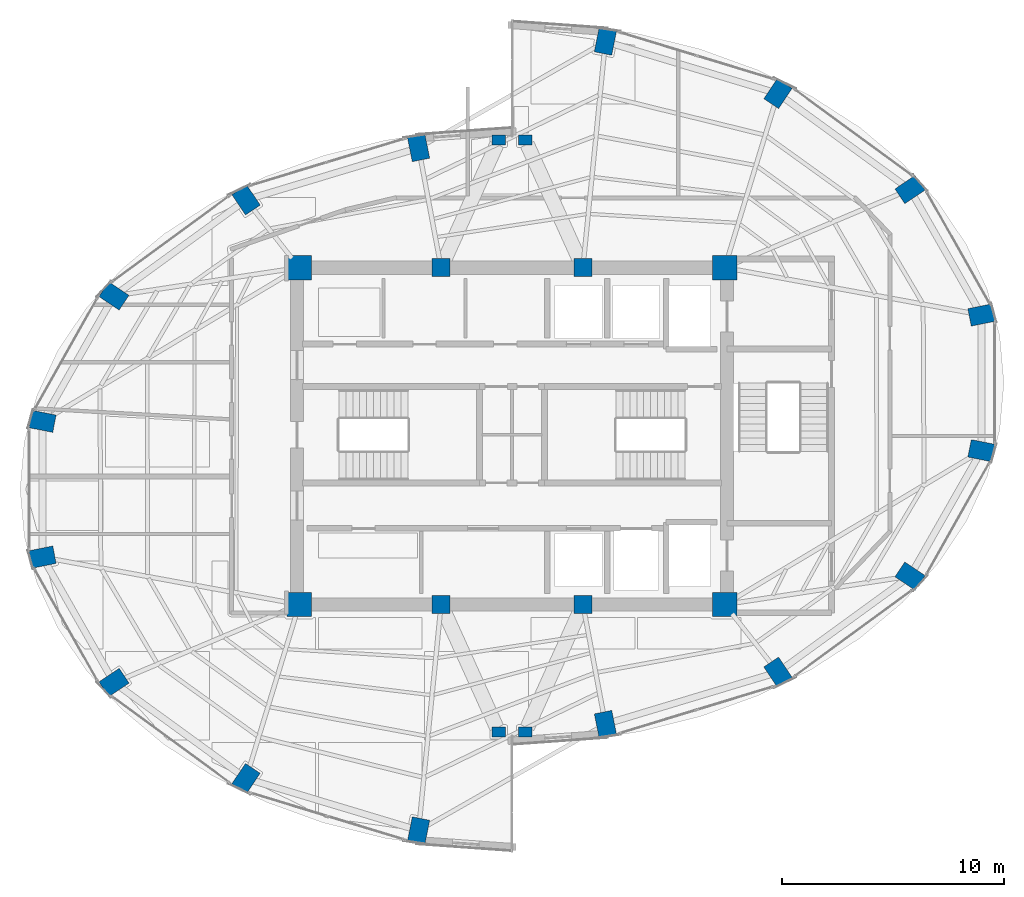
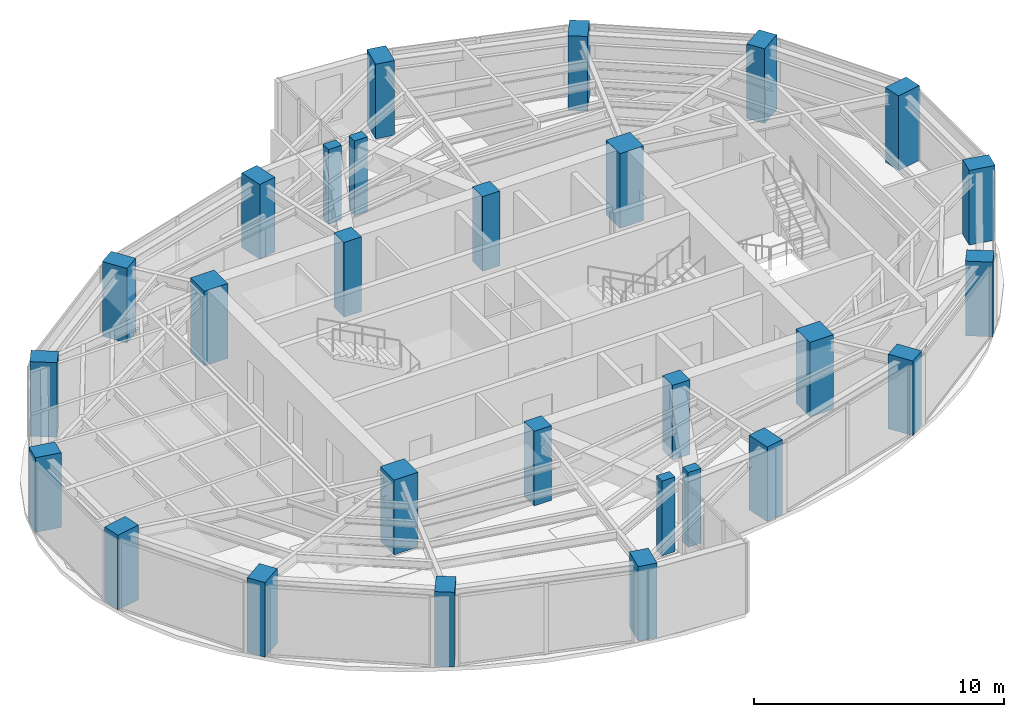
# One storey, part 1 of 23: 28 columns.
"""IFC4 building model written with IfcOpenShell, lengths in metres."""

import ifcopenshell
import ifcopenshell.guid

model = None  # the IFC model being written
_history = None  # IfcOwnerHistory: only IFC2X3 demands one
_inside = {}  # id of a spatial element -> (the spatial element, [elements in it])
_under = {}  # id of a project, library or spatial element -> (it, [spatial elements below it])
_declared = {}  # id of a project -> (the project, [libraries it declares])
_typed = {}  # id of a type object -> (the type object, [elements of that type])
_made_of = {}  # id of a material, layer set ... -> (it, [elements and type objects made of it])


def new_model(schema):
    """Start an empty IFC model of exactly this schema.

    Asked for "IFC4X3", IfcOpenShell would pick the latest addendum, in which some entities
    have other attributes; the version numbers below select the first issue.
    IFC2X3 requires an IfcOwnerHistory on every rooted entity: one is made here for all.
    """
    global model, _history
    if schema == "IFC4X3":
        model = ifcopenshell.file(schema_version=(4, 3, 0, 0))
    else:
        model = ifcopenshell.file(schema=schema)
    _inside.clear()
    _under.clear()
    _declared.clear()
    _typed.clear()
    _made_of.clear()
    _history = None
    if model.schema == "IFC2X3":
        org = make("IfcOrganization", Name="unknown")
        user = make(
            "IfcPersonAndOrganization",
            ThePerson=make("IfcPerson", FamilyName="unknown"),
            TheOrganization=org,
        )
        app = make(
            "IfcApplication",
            ApplicationDeveloper=org,
            Version="unknown",
            ApplicationFullName="unknown",
            ApplicationIdentifier="unknown",
        )
        _history = make(
            "IfcOwnerHistory",
            OwningUser=user,
            OwningApplication=app,
            ChangeAction="ADDED",
            CreationDate=0,
        )
    return model


def make(cls, **values):
    """One entity of the class cls with the attributes given. An attribute that is None is left unset."""
    return model.create_entity(
        cls, **{name: value for name, value in values.items() if value is not None}
    )


def rooted(cls, **values):
    """An entity with a GlobalId (a new one), such as an element, a storey or a relation."""
    return make(cls, GlobalId=ifcopenshell.guid.new(), OwnerHistory=_history, **values)


def si_unit(unit_type, name, prefix=None):
    """IfcSIUnit, for example si_unit("LENGTHUNIT", "METRE", prefix="MILLI")."""
    return make("IfcSIUnit", UnitType=unit_type, Prefix=prefix, Name=name)


def assignment(units):
    """IfcUnitAssignment: the units of a project."""
    return None if units is None else make("IfcUnitAssignment", Units=units)


def point(xyz):
    """IfcCartesianPoint."""
    return None if xyz is None else make("IfcCartesianPoint", Coordinates=xyz)


def direction(xyz):
    """IfcDirection."""
    return None if xyz is None else make("IfcDirection", DirectionRatios=xyz)


def frame(location, z_axis=None, x_axis=None):
    """IfcAxis2Placement3D, a coordinate frame: its origin and axes. An axis left out is left unset."""
    return make(
        "IfcAxis2Placement3D",
        Location=point(location),
        Axis=direction(z_axis),
        RefDirection=direction(x_axis),
    )


def frame_2d(location, x_axis=None):
    """IfcAxis2Placement2D, a coordinate frame in the plane: its origin and x axis."""
    return make(
        "IfcAxis2Placement2D", Location=point(location), RefDirection=direction(x_axis)
    )


def origin():
    """The frame at (0, 0, 0) with its axes left unset."""
    return frame((0.0, 0.0, 0.0))


def origin_2d():
    """The frame at (0, 0) in the plane with its x axis left unset."""
    return frame_2d((0.0, 0.0))


def place(relative_to, where):
    """IfcLocalPlacement: puts the frame where relative to a parent placement (None: the world)."""
    return make(
        "IfcLocalPlacement", PlacementRelTo=relative_to, RelativePlacement=where
    )


def context(
    kind, dimensions, precision=None, world=None, true_north=None, identifier=None
):
    """IfcGeometricRepresentationContext, for example the 3D "Model" context."""
    return make(
        "IfcGeometricRepresentationContext",
        ContextIdentifier=identifier,
        ContextType=kind,
        CoordinateSpaceDimension=dimensions,
        Precision=precision,
        WorldCoordinateSystem=world,
        TrueNorth=true_north,
    )


def subcontext(parent, identifier, kind, view, scale=None):
    """IfcGeometricRepresentationSubContext, for example "Body" below "Model"."""
    return make(
        "IfcGeometricRepresentationSubContext",
        ContextIdentifier=identifier,
        ContextType=kind,
        ParentContext=parent,
        TargetScale=scale,
        TargetView=view,
    )


def project(units=None, contexts=None):
    """IfcProject with its units and contexts."""
    return rooted(
        "IfcProject",
        Name="project",
        RepresentationContexts=contexts,
        UnitsInContext=assignment(units),
    )


def spatial(cls, under=None, at=None, **own):
    """A site, building, storey or space (cls), placed at a placement, below another one or the project."""
    s = rooted(cls, ObjectPlacement=at, **own)
    if under is not None:
        _under.setdefault(under.id(), (under, []))[1].append(s)
    return s


def profile(cls, at=None, kind="AREA", **sizes):
    """A parametric profile (cls). Its sizes go by their IFC names, for example OverallWidth=200.0."""
    return make(cls, ProfileType=kind, Position=at, **sizes)


def rectangle(**sizes):
    """IfcRectangleProfileDef."""
    return profile("IfcRectangleProfileDef", **sizes)


def extrude(swept, where, along, depth):
    """IfcExtrudedAreaSolid: the profile swept, set in the frame where, extruded along a direction by depth."""
    return make(
        "IfcExtrudedAreaSolid",
        SweptArea=swept,
        Position=where,
        ExtrudedDirection=direction(along),
        Depth=depth,
    )


def shape(context_of_items, identifier, shape_type, items):
    """IfcShapeRepresentation: the items that make up one representation, for example the "Body"."""
    return make(
        "IfcShapeRepresentation",
        ContextOfItems=context_of_items,
        RepresentationIdentifier=identifier,
        RepresentationType=shape_type,
        Items=items,
    )


def material(Name=None, Category=None):
    """IfcMaterial."""
    return make("IfcMaterial", Name=Name, Category=Category)


def material_profile(
    of_material, cross_section, Name=None, Category=None, Priority=None
):
    """IfcMaterialProfile: a cross section and its material."""
    return make(
        "IfcMaterialProfile",
        Name=Name,
        Material=of_material,
        Profile=cross_section,
        Priority=Priority,
        Category=Category,
    )


def profile_set(profiles, Name=None, composite=None):
    """IfcMaterialProfileSet."""
    return make(
        "IfcMaterialProfileSet",
        Name=Name,
        MaterialProfiles=profiles,
        CompositeProfile=composite,
    )


def made_of(thing, what):
    """Note that an element or type object is made of a material, layer set ...; save() writes the relation."""
    if what is not None:
        _made_of.setdefault(what.id(), (what, []))[1].append(thing)
    return thing


def type_object(cls, material=None, **own):
    """A type object (cls), such as IfcWallType, which elements share."""
    return made_of(rooted(cls, **own), material)


def element(
    cls,
    number,
    at=None,
    inside=None,
    cuts=None,
    type_object=None,
    material=None,
    context=None,
    identifier="Body",
    shape_type=None,
    held_by="IfcProductDefinitionShape",
    body=None,
    shapes=None,
    **own,
):
    """One element of the class cls, such as IfcWall. Its Tag is "e" and its number.

    at: its placement. inside: the storey or other place that contains it. cuts: it is an
    opening in that element (IfcRelVoidsElement). A single representation is given by context,
    identifier, shape_type and body (its items); several are given by shapes. held_by: the class
    of the entity that holds the representations. save() writes the other relations.
    """
    e = rooted(cls, Tag="e%d" % number, ObjectPlacement=at, **own)
    if body is not None:
        shapes = [shape(context, identifier, shape_type, body)]
    if shapes is not None:
        e.Representation = make(held_by, Representations=shapes)
    if inside is not None:
        _inside.setdefault(inside.id(), (inside, []))[1].append(e)
    if cuts is not None:
        rooted(
            "IfcRelVoidsElement", RelatingBuildingElement=cuts, RelatedOpeningElement=e
        )
    if type_object is not None:
        _typed.setdefault(type_object.id(), (type_object, []))[1].append(e)
    return made_of(e, material)


def aggregate(whole, parts):
    """IfcRelAggregates: a whole, such as a stair, and the parts it consists of."""
    return rooted("IfcRelAggregates", RelatingObject=whole, RelatedObjects=parts)


def save(model, path):
    """Write the relations noted so far, then the file.

    IfcRelAggregates (storeys below a building ...), IfcRelContainedInSpatialStructure (elements
    in a storey), IfcRelDefinesByType, IfcRelAssociatesMaterial and IfcRelDeclares: one each for
    every whole, place, type object, material and project.
    """
    for whole, parts in _under.values():
        aggregate(whole, parts)
    for where, things in _inside.values():
        rooted(
            "IfcRelContainedInSpatialStructure",
            RelatedElements=things,
            RelatingStructure=where,
        )
    for kind, things in _typed.values():
        rooted("IfcRelDefinesByType", RelatedObjects=things, RelatingType=kind)
    for what, things in _made_of.values():
        rooted("IfcRelAssociatesMaterial", RelatedObjects=things, RelatingMaterial=what)
    for by, libraries in _declared.values():
        rooted("IfcRelDeclares", RelatingContext=by, RelatedDefinitions=libraries)
    model.write(path)


model = new_model("IFC4")

# Units and contexts
model_context = context("Model", 3, precision=1e-05, world=origin(), true_north=direction((0.0, 1.0)))
body_context = subcontext(model_context, "Body", "Model", "MODEL_VIEW")
ifc_project = project(units=[si_unit("LENGTHUNIT", "METRE"), si_unit("AREAUNIT", "SQUARE_METRE"), si_unit("VOLUMEUNIT", "CUBIC_METRE"), si_unit("PLANEANGLEUNIT", "RADIAN"), si_unit("MASSUNIT", "GRAM", prefix="KILO")], contexts=[model_context])

# Site, building, storey
site_placement = place(None, origin())
site = spatial("IfcSite", under=ifc_project, at=site_placement, CompositionType="ELEMENT")
building_placement = place(site_placement, origin())
building = spatial("IfcBuilding", under=site, at=building_placement, Name="Lazwardi Medical Tower", CompositionType="ELEMENT")
storey_placement = place(building_placement, frame((0.0, 0.0, 209.424072265625)))
storey = spatial("IfcBuildingStorey", under=building, at=storey_placement, Name="L54", CompositionType="ELEMENT", Elevation=209.424072265625)

# Columns
ifc_material_1 = material(Name="Concrete C80/95", Category="concrete")
ifc_material_profile_1 = material_profile(ifc_material_1, rectangle(XDim=1.10009765625, YDim=1.10009765625, at=origin_2d()), Name="RC 1100x1100")
ifc_profile_set_1 = profile_set([ifc_material_profile_1], Name="Concrete C80/95")
column_type_1 = type_object("IfcColumnType", Name="COL-CC-L", PredefinedType="COLUMN", material=ifc_profile_set_1)
for number, where, z_axis, x_axis, name in (
    (1, (26.39990234375, 20.39990234375, 0.0), (0.0, 0.0, 1.0), (1.0, 0.0, 0.0), "Core column CC-01 CC1 L54"),
    (2, (45.60009765625, 20.39990234375, 0.0), (0.0, 0.0, 1.0), (1.0, 0.0, 0.0), "Core column CC-01 CC4 L54"),
    (3, (45.60009765625, 35.60009765625, 0.0), (0.0, 0.0, 1.0), (1.0, 0.0, 0.0), "Core column CC-01 CC5 L54"),
    (4, (26.39990234375, 35.60009765625, 0.0), (0.0, 0.0, 1.0), (1.0, 0.0, 0.0), "Core column CC-01 CC8 L54"),
):
    element("IfcColumn", number, at=place(storey_placement, frame(where, z_axis=z_axis, x_axis=x_axis)), inside=storey, type_object=column_type_1, Name=name, PredefinedType="COLUMN", context=body_context, shape_type="SweptSolid", body=[
        extrude(rectangle(XDim=1.10009765625, YDim=1.10009765625, at=origin_2d()), origin(), (0.0, 0.0, 1.0), 3.64794921875),
    ])
ifc_material_2 = material(Name="Concrete C60/75", Category="concrete")
ifc_material_profile_2 = material_profile(ifc_material_2, rectangle(XDim=0.800048828125, YDim=0.800048828125, at=origin_2d()), Name="RC 800x800")
ifc_profile_set_2 = profile_set([ifc_material_profile_2], Name="Concrete C60/75")
column_type_2 = type_object("IfcColumnType", Name="COL-CC-U", PredefinedType="COLUMN", material=ifc_profile_set_2)
for number, where, z_axis, x_axis, name in (
    (5, (32.800048828125, 20.39990234375, 0.0), (0.0, 0.0, 1.0), (1.0, 0.0, 0.0), "Core column CC-03 CC2 L54"),
    (6, (39.199951171875, 20.39990234375, 0.0), (0.0, 0.0, 1.0), (1.0, 0.0, 0.0), "Core column CC-03 CC3 L54"),
    (7, (39.199951171875, 35.60009765625, 0.0), (0.0, 0.0, 1.0), (1.0, 0.0, 0.0), "Core column CC-03 CC6 L54"),
    (8, (32.800048828125, 35.60009765625, 0.0), (0.0, 0.0, 1.0), (1.0, 0.0, 0.0), "Core column CC-03 CC7 L54"),
):
    element("IfcColumn", number, at=place(storey_placement, frame(where, z_axis=z_axis, x_axis=x_axis)), inside=storey, type_object=column_type_2, Name=name, PredefinedType="COLUMN", context=body_context, shape_type="SweptSolid", body=[
        extrude(rectangle(XDim=0.800048828125, YDim=0.800048828125, at=origin_2d()), origin(), (0.0, 0.0, 1.0), 3.64794921875),
    ])
ifc_material_profile_3 = material_profile(ifc_material_2, rectangle(XDim=1.10009765625, YDim=0.800048828125, at=origin_2d()), Name="CFT-RECT 1100x800")
ifc_profile_set_3 = profile_set([ifc_material_profile_3], Name="Concrete C60/75")
column_type_3 = type_object("IfcColumnType", Name="COL-MC-Z4", PredefinedType="COLUMN", material=ifc_profile_set_3)
for number, where, z_axis, x_axis, name in (
    (9, (40.214111328125, 15.001708984375, 0.0), (0.0, 0.0, 1.0), (0.195090322016, -0.980785280403, 0.0), "Mega column MC-06 M01 L54"),
    (10, (48.000244140625, 17.345947265625, 0.0), (0.0, 0.0, 1.0), (0.55557023302, -0.831469612303, 0.0), "Mega column MC-06 M02 L54"),
    (11, (53.959716796875, 21.677490234375, 0.0), (0.0, 0.0, 1.0), (0.831469612303, -0.55557023302, 0.0), "Mega column MC-06 M03 L54"),
    (12, (57.18505859375, 27.337158203125, 0.0), (0.0, 0.0, 1.0), (0.980785280403, -0.195090322016, 0.0), "Mega column MC-06 M04 L54"),
    (13, (57.18505859375, 33.462890625, 0.0), (0.0, 0.0, 1.0), (0.980785280403, 0.195090322016, 0.0), "Mega column MC-06 M05 L54"),
    (14, (53.959716796875, 39.12255859375, 0.0), (0.0, 0.0, 1.0), (0.831469612303, 0.55557023302, 0.0), "Mega column MC-06 M06 L54"),
    (15, (48.000244140625, 43.4541015625, 0.0), (0.0, 0.0, 1.0), (0.55557023302, 0.831469612303, 0.0), "Mega column MC-06 M07 L54"),
    (16, (40.214111328125, 45.79833984375, 0.0), (0.0, 0.0, 1.0), (0.195090322016, 0.980785280403, 0.0), "Mega column MC-06 M08 L54"),
    (17, (31.785888671875, 40.998291015625, 0.0), (0.0, 0.0, 1.0), (-0.195090322016, 0.980785280403, 0.0), "Mega column MC-06 M09 L54"),
    (18, (23.999755859375, 38.654052734375, 0.0), (0.0, 0.0, 1.0), (-0.55557023302, 0.831469612303, 0.0), "Mega column MC-06 M10 L54"),
    (19, (18.040283203125, 34.322509765625, 0.0), (0.0, 0.0, 1.0), (-0.831469612303, 0.55557023302, 0.0), "Mega column MC-06 M11 L54"),
    (20, (14.81494140625, 28.662841796875, 0.0), (0.0, 0.0, 1.0), (-0.980785280403, 0.195090322016, 0.0), "Mega column MC-06 M12 L54"),
    (21, (14.81494140625, 22.537109375, 0.0), (0.0, 0.0, 1.0), (-0.980785280403, -0.195090322016, 0.0), "Mega column MC-06 M13 L54"),
    (22, (18.040283203125, 16.87744140625, 0.0), (0.0, 0.0, 1.0), (-0.831469612303, -0.55557023302, 0.0), "Mega column MC-06 M14 L54"),
    (23, (23.999755859375, 12.5458984375, 0.0), (0.0, 0.0, 1.0), (-0.55557023302, -0.831469612303, 0.0), "Mega column MC-06 M15 L54"),
    (24, (31.785888671875, 10.20166015625, 0.0), (0.0, 0.0, 1.0), (-0.195090322016, -0.980785280403, 0.0), "Mega column MC-06 M16 L54"),
):
    element("IfcColumn", number, at=place(storey_placement, frame(where, z_axis=z_axis, x_axis=x_axis)), inside=storey, type_object=column_type_3, Name=name, PredefinedType="COLUMN", context=body_context, shape_type="SweptSolid", body=[
        extrude(rectangle(XDim=1.10009765625, YDim=0.800048828125, at=origin_2d()), origin(), (0.0, 0.0, 1.0), 3.64794921875),
    ])
ifc_material_profile_4 = material_profile(ifc_material_2, rectangle(XDim=0.60009765625, YDim=0.449951171875, at=origin_2d()), Name="RC 600x450")
ifc_profile_set_4 = profile_set([ifc_material_profile_4], Name="Concrete C60/75")
column_type_4 = type_object("IfcColumnType", Name="COL-PL-IW", PredefinedType="PILASTER", material=ifc_profile_set_4)
for number, where, z_axis, x_axis, name in (
    (25, (35.39990234375, 41.35009765625, 0.0), (0.0, 0.0, 1.0), (1.0, 0.0, 0.0), "Iwan pilaster column PL-C1 PL1 L54"),
    (26, (36.60009765625, 41.35009765625, 0.0), (0.0, 0.0, 1.0), (1.0, 0.0, 0.0), "Iwan pilaster column PL-C1 PL2 L54"),
    (27, (35.39990234375, 14.64990234375, 0.0), (0.0, 0.0, 1.0), (1.0, 0.0, 0.0), "Iwan pilaster column PL-C1 PL3 L54"),
    (28, (36.60009765625, 14.64990234375, 0.0), (0.0, 0.0, 1.0), (1.0, 0.0, 0.0), "Iwan pilaster column PL-C1 PL4 L54"),
):
    element("IfcColumn", number, at=place(storey_placement, frame(where, z_axis=z_axis, x_axis=x_axis)), inside=storey, type_object=column_type_4, Name=name, PredefinedType="PILASTER", context=body_context, shape_type="SweptSolid", body=[
        extrude(rectangle(XDim=0.60009765625, YDim=0.449951171875, at=origin_2d()), origin(), (0.0, 0.0, 1.0), 3.64794921875),
    ])

save(model, "model.ifc")
